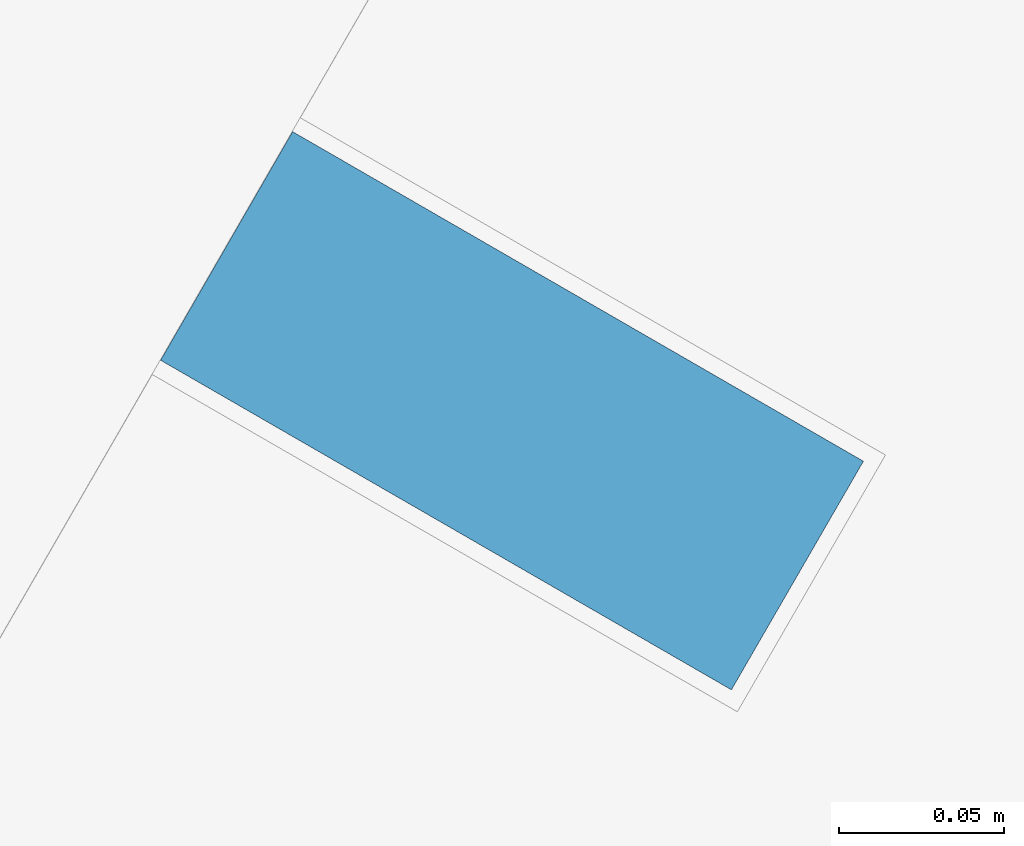
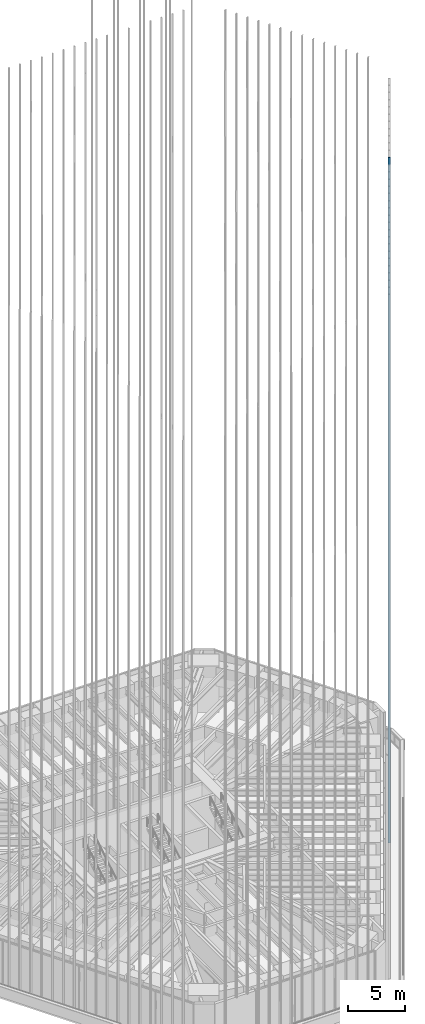
# One storey, part 109 of 228: 1 member, 1 element without a shape of its own.
"""IFC4 building model written with IfcOpenShell, lengths in metres."""

from ifc_helpers import new_model, si_unit, direction, frame, origin, origin_2d, place, context, subcontext, project, spatial, rectangle, extrude, material, material_profile, profile_set, type_object, element, aggregate, save


model = new_model("IFC4")

# Units and contexts
model_context = context("Model", 3, precision=1e-05, world=origin(), true_north=direction((0.0, 1.0)))
body_context = subcontext(model_context, "Body", "Model", "MODEL_VIEW")
ifc_project = project(units=[si_unit("LENGTHUNIT", "METRE"), si_unit("AREAUNIT", "SQUARE_METRE"), si_unit("VOLUMEUNIT", "CUBIC_METRE"), si_unit("PLANEANGLEUNIT", "RADIAN"), si_unit("MASSUNIT", "GRAM", prefix="KILO")], contexts=[model_context])

# Site, building, storey
site_placement = place(None, origin())
site = spatial("IfcSite", under=ifc_project, at=site_placement, CompositionType="ELEMENT")
building_placement = place(site_placement, origin())
building = spatial("IfcBuilding", under=site, at=building_placement, Name="Sandreach Pilgrim Tower", CompositionType="ELEMENT")
storey_placement = place(building_placement, frame((0.0, 0.0, 178.199951171875)))
storey = spatial("IfcBuildingStorey", under=building, at=storey_placement, Name="L44", CompositionType="ELEMENT", Elevation=178.199951171875)

# Curtain wall, member
ifc_material_1 = material(Name="Aluminium framed curtain wall", Category="aluminium")
curtain_wall_type = type_object("IfcCurtainWallType", Name="Upper hotel tower curtain wall", PredefinedType="NOTDEFINED", material=ifc_material_1)
curtain_wall_placement = place(storey_placement, origin())
curtain_wall = element("IfcCurtainWall", 1, at=curtain_wall_placement, inside=storey, type_object=curtain_wall_type, Name="CW-3 L44 SE", PredefinedType="NOTDEFINED")
ifc_material_2 = material(Name="Extruded terracotta on aluminium core", Category="masonry")
ifc_material_profile = material_profile(ifc_material_2, rectangle(XDim=0.080078125, YDim=0.199951171875, at=origin_2d()), Name="TBE 80X200")
ifc_profile_set = profile_set([ifc_material_profile], Name="Extruded terracotta on aluminium core")
member_type = type_object("IfcMemberType", Name="Terracotta baguette east", PredefinedType="USERDEFINED", material=ifc_profile_set)
member_placement = place(storey_placement, frame((20.874267578125, -6.965087890625, 0.0), z_axis=(0.0, 0.0, 1.0), x_axis=(-0.5, -0.866025403784, 0.0)))
member = element("IfcMember", 2, at=member_placement, type_object=member_type, Name="Baguette Z3 SE12", ObjectType="BAGUETTE", PredefinedType="USERDEFINED", context=body_context, shape_type="SweptSolid", body=[
    extrude(rectangle(XDim=0.080078125, YDim=0.199951171875, at=origin_2d()), origin(), (0.0, 0.0, 1.0), 73.239990234375),
])
aggregate(curtain_wall, [member])

save(model, "model.ifc")
